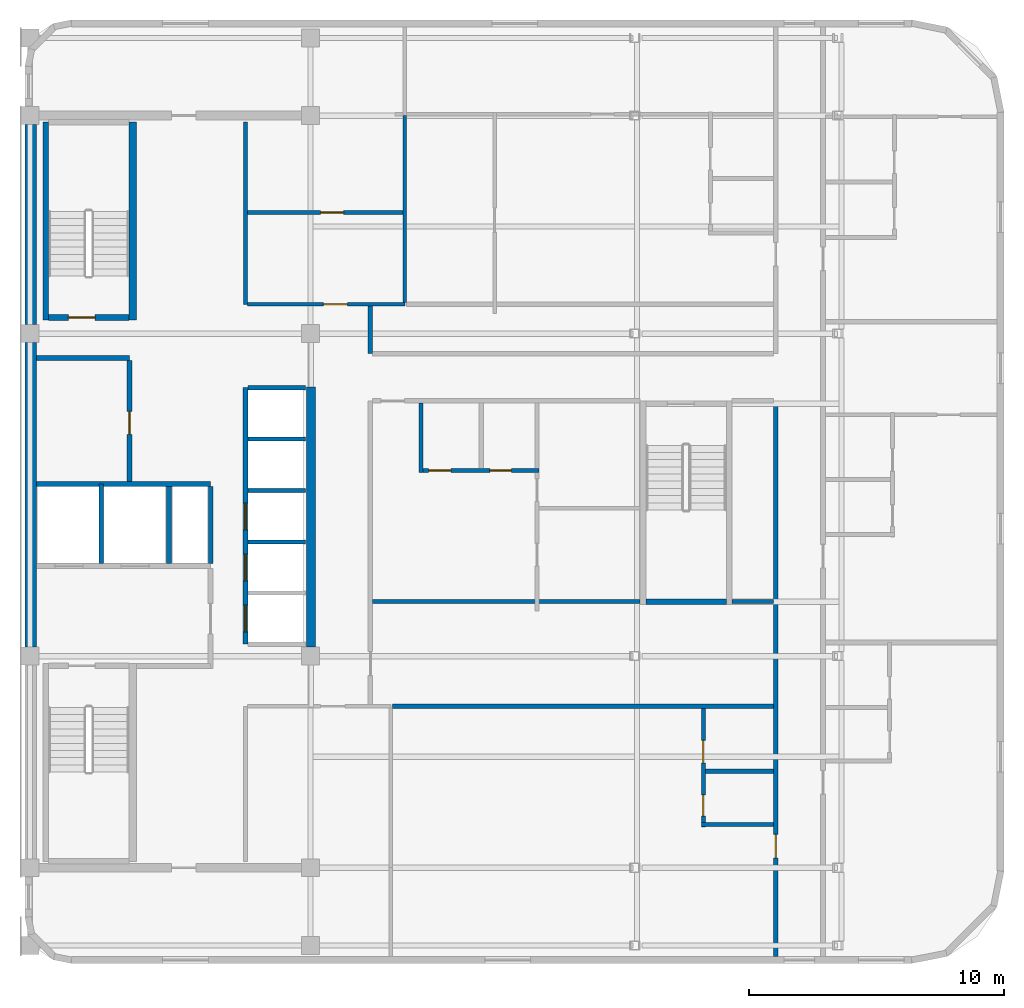
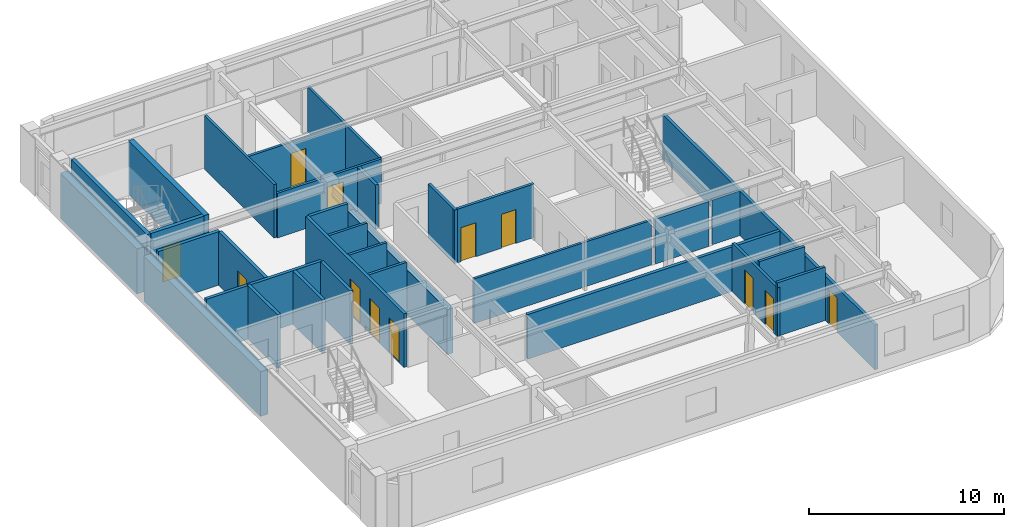
# One storey, part 3 of 8: 32 walls, 12 doors, 12 openings.
"""IFC4 building model written with IfcOpenShell, lengths in metres."""

from ifc_helpers import new_model, si_unit, direction, frame, frame_2d, origin, place, context, subcontext, project, spatial, rectangle, extrude, material, layer, layer_set, type_object, element, fill, save


model = new_model("IFC4")

# Units and contexts
model_context = context("Model", 3, precision=1e-05, world=origin(), true_north=direction((0.0, 1.0)))
body_context = subcontext(model_context, "Body", "Model", "MODEL_VIEW")
ifc_project = project(units=[si_unit("LENGTHUNIT", "METRE"), si_unit("AREAUNIT", "SQUARE_METRE"), si_unit("VOLUMEUNIT", "CUBIC_METRE"), si_unit("PLANEANGLEUNIT", "RADIAN"), si_unit("MASSUNIT", "GRAM", prefix="KILO")], contexts=[model_context])

# Site, building, storey
site_placement = place(None, origin())
site = spatial("IfcSite", under=ifc_project, at=site_placement, CompositionType="ELEMENT")
building_placement = place(site_placement, origin())
building = spatial("IfcBuilding", under=site, at=building_placement, Name="Ochreholt Gables", CompositionType="ELEMENT")
storey_placement = place(building_placement, frame((0.0, 0.0, 227.39990234375)))
storey = spatial("IfcBuildingStorey", under=building, at=storey_placement, Name="L59", CompositionType="ELEMENT", Elevation=227.39990234375)

# Walls
ifc_material_1 = material(Name="Concrete 50 MPa", Category="concrete")
ifc_layer_1 = layer(ifc_material_1, 0.35009765625, Name="Concrete 50 MPa")
ifc_layer_set_1 = layer_set([ifc_layer_1], Name="Concrete 50 MPa")
wall_type_1 = type_object("IfcWallType", Name="WALL-CSW-350", PredefinedType="SHEAR", material=ifc_layer_set_1)
wall_1_placement = place(storey_placement, frame((35.22509765625, 17.89990234375, 0.0), z_axis=(0.0, 0.0, 1.0), x_axis=(0.0, 1.0, 0.0)))
element("IfcWall", 1, at=wall_1_placement, inside=storey, type_object=wall_type_1, Name="L59 Core Central-East Shear Wall", PredefinedType="SHEAR", context=body_context, shape_type="SweptSolid", body=[
    extrude(rectangle(XDim=10.2001953125, YDim=0.35009765625, at=frame_2d((5.10009765625, 0.0))), origin(), (0.0, 0.0, 1.0), 2.81103515625),
])
ifc_layer_2 = layer(ifc_material_1, 0.449951171875, Name="Concrete 50 MPa")
ifc_layer_set_2 = layer_set([ifc_layer_2], Name="Concrete 50 MPa")
wall_type_2 = type_object("IfcWallType", Name="WALL-CSW-EXT", PredefinedType="SHEAR", material=ifc_layer_set_2)
wall_2_placement = place(storey_placement, frame((24.22509765625, 17.89990234375, 0.0), z_axis=(0.0, 0.0, 1.0), x_axis=(0.0, 1.0, 0.0)))
element("IfcWall", 2, at=wall_2_placement, inside=storey, type_object=wall_type_2, Name="L59 Core West Shear Wall WM", PredefinedType="SHEAR", context=body_context, shape_type="SweptSolid", body=[
    extrude(rectangle(XDim=11.9501953125, YDim=0.449951171875, at=frame_2d((5.97509765625, 0.0))), origin(), (0.0, 0.0, 1.0), 2.81103515625),
])
wall_3_placement = place(storey_placement, frame((24.22509765625, 30.550048828125, 0.0), z_axis=(0.0, 0.0, 1.0), x_axis=(0.0, 1.0, 0.0)))
element("IfcWall", 3, at=wall_3_placement, inside=storey, type_object=wall_type_2, Name="L59 Core West Shear Wall WN", PredefinedType="SHEAR", context=body_context, shape_type="SweptSolid", body=[
    extrude(rectangle(XDim=7.849853515625, YDim=0.449951171875, at=frame_2d((3.9248046875, 0.0))), origin(), (0.0, 0.0, 1.0), 2.81103515625),
])
ifc_material_2 = material(Name="Concrete 40 MPa", Category="concrete")
ifc_layer_3 = layer(ifc_material_2, 0.199951171875, Name="Concrete 40 MPa")
ifc_layer_set_3 = layer_set([ifc_layer_3], Name="Concrete 40 MPa")
wall_type_3 = type_object("IfcWallType", Name="WALL-INT-CF200", PredefinedType="STANDARD", material=ifc_layer_set_3)
wall_4_placement = place(storey_placement, frame((24.449951171875, 29.239990234375, 0.0), z_axis=(0.0, 0.0, 1.0), x_axis=(1.0, 0.0, 0.0)))
element("IfcWall", 4, at=wall_4_placement, inside=storey, type_object=wall_type_3, Name="L59 Interior Wall WI-SRVN-L59", PredefinedType="STANDARD", context=body_context, shape_type="SweptSolid", body=[
    extrude(rectangle(XDim=3.650146484375, YDim=0.199951171875, at=frame_2d((1.8251953125, 0.0))), origin(), (0.0, 0.0, 1.0), 3.35009765625),
])

# Wall, opening, door
wall_5_placement = place(storey_placement, frame((28.10009765625, 24.389892578125, 0.0), z_axis=(0.0, 0.0, 1.0), x_axis=(0.0, 1.0, 0.0)))
wall_5 = element("IfcWall", 5, at=wall_5_placement, inside=storey, type_object=wall_type_3, Name="L59 Interior Wall WI-SRVE-L59", PredefinedType="STANDARD", context=body_context, shape_type="SweptSolid", body=[
    extrude(rectangle(XDim=4.75, YDim=0.199951171875, at=frame_2d((2.375, 0.0))), origin(), (0.0, 0.0, 1.0), 3.35009765625),
])
opening_1_placement = place(wall_5_placement, frame((1.860107421875, 0.0, 0.0)))
opening_1 = element("IfcOpeningElement", 6, at=opening_1_placement, cuts=wall_5, Name="Opening D-SV1", PredefinedType="OPENING", context=body_context, shape_type="SweptSolid", body=[
    extrude(rectangle(XDim=0.89990234375, YDim=2.10009765625, at=frame_2d((0.449951171875, 1.050048828125))), frame((0.0, 0.10986328125, 0.0), z_axis=(0.0, -1.0, 0.0), x_axis=(1.0, 0.0, 0.0)), (0.0, 0.0, 1.0), 0.219970703125),
])
ifc_material_3 = material(Name="Hollow Metal Steel", Category="steel")
door_type_1 = type_object("IfcDoorType", Name="DR-INT-SRV900", OperationType="NOTDEFINED", PredefinedType="DOOR", material=ifc_material_3)
door_1_placement = place(opening_1_placement, origin())
door_1 = element("IfcDoor", 7, at=door_1_placement, inside=storey, type_object=door_type_1, Name="L59 Door D-SRV1-L59", OperationType="SINGLE_SWING_LEFT", OverallHeight=2.10009765625, OverallWidth=0.89990234375, PredefinedType="DOOR", context=body_context, shape_type="SweptSolid", body=[
    extrude(rectangle(XDim=0.89990234375, YDim=2.10009765625, at=frame_2d((0.449951171875, 1.050048828125))), frame((0.0, 0.02490234375, 0.0), z_axis=(0.0, -1.0, 0.0), x_axis=(1.0, 0.0, 0.0)), (0.0, 0.0, 1.0), 0.050048828125),
])
fill(opening_1, door_1)

# Wall
ifc_material_4 = material(Name="Fire-Rated Gypsum Acoustic Partition", Category="gypsum")
ifc_layer_4 = layer(ifc_material_4, 0.179931640625, Name="Fire-Rated Gypsum Acoustic Partition")
ifc_layer_set_4 = layer_set([ifc_layer_4], Name="Fire-Rated Gypsum Acoustic Partition")
wall_type_4 = type_object("IfcWallType", Name="WALL-INT-CR180", PredefinedType="STANDARD", material=ifc_layer_set_4)
wall_6_placement = place(storey_placement, frame((37.550048828125, 29.409912109375, 0.0), z_axis=(0.0, 0.0, 1.0), x_axis=(0.0, 1.0, 0.0)))
element("IfcWall", 8, at=wall_6_placement, inside=storey, type_object=wall_type_4, Name="L59 Interior Wall WI-C3CE2-L59", PredefinedType="STANDARD", context=body_context, shape_type="SweptSolid", body=[
    extrude(rectangle(XDim=1.86767578125, YDim=0.179931640625, at=frame_2d((0.933837890625, 0.0))), origin(), (0.0, 0.0, 1.0), 2.793212890625),
])

# Wall, opening, door
wall_7_placement = place(storey_placement, frame((53.450439453125, 5.77001953125, 0.0), z_axis=(0.0, 0.0, 1.0), x_axis=(0.0, 1.0, 0.0)))
wall_7 = element("IfcWall", 9, at=wall_7_placement, inside=storey, type_object=wall_type_4, Name="L59 Interior Wall WI-C3GW0-L59", PredefinedType="STANDARD", context=body_context, shape_type="SweptSolid", body=[
    extrude(rectangle(XDim=21.7900390625, YDim=0.179931640625, at=frame_2d((10.89501953125, 0.0))), origin(), (0.0, 0.0, 1.0), 2.793212890625),
])
opening_2_placement = place(wall_7_placement, frame((3.8701171875, 0.0, 0.0)))
opening_2 = element("IfcOpeningElement", 10, at=opening_2_placement, cuts=wall_7, Name="Opening D-UN1", PredefinedType="OPENING", context=body_context, shape_type="SweptSolid", body=[
    extrude(rectangle(XDim=0.919921875, YDim=2.14990234375, at=frame_2d((0.4599609375, 1.074951171875))), frame((0.0, 0.099853515625, 0.0), z_axis=(0.0, -1.0, 0.0), x_axis=(1.0, 0.0, 0.0)), (0.0, 0.0, 1.0), 0.199951171875),
])
ifc_material_5 = material(Name="Engineered Oak Timber", Category="wood")
door_type_2 = type_object("IfcDoorType", Name="DR-INT-UNT920", OperationType="NOTDEFINED", PredefinedType="DOOR", material=ifc_material_5)
door_2_placement = place(opening_2_placement, origin())
door_2 = element("IfcDoor", 11, at=door_2_placement, inside=storey, type_object=door_type_2, Name="L59 Door D-U-L59SM1-ENT", OperationType="SINGLE_SWING_LEFT", OverallHeight=2.14990234375, OverallWidth=0.919921875, PredefinedType="DOOR", context=body_context, shape_type="SweptSolid", body=[
    extrude(rectangle(XDim=0.919921875, YDim=2.14990234375, at=frame_2d((0.4599609375, 1.074951171875))), frame((0.0, 0.02490234375, 0.0), z_axis=(0.0, -1.0, 0.0), x_axis=(1.0, 0.0, 0.0)), (0.0, 0.0, 1.0), 0.050048828125),
])
fill(opening_2, door_2)

# Walls
ifc_material_6 = material(Name="Double-Stud Acoustic Demising Wall", Category="gypsum")
ifc_layer_5 = layer(ifc_material_6, 0.18505859375, Name="Double-Stud Acoustic Demising Wall")
ifc_layer_set_5 = layer_set([ifc_layer_5], Name="Double-Stud Acoustic Demising Wall")
wall_type_5 = type_object("IfcWallType", Name="WALL-INT-DM185", PredefinedType="PARTITIONING", material=ifc_layer_set_5)
wall_8_placement = place(storey_placement, frame((38.422607421875, 15.580078125, 0.0), z_axis=(0.0, 0.0, 1.0), x_axis=(1.0, 0.0, 0.0)))
element("IfcWall", 12, at=wall_8_placement, inside=storey, type_object=wall_type_5, Name="L59 Interior Wall WI-C3SMY-L59", PredefinedType="PARTITIONING", context=body_context, shape_type="SweptSolid", body=[
    extrude(rectangle(XDim=14.937744140625, YDim=0.18505859375, at=frame_2d((7.46875, 0.0))), origin(), (0.0, 0.0, 1.0), 2.793212890625),
])
ifc_material_7 = material(Name="Moisture-Resistant Plumbing Chase Wall", Category="gypsum")
ifc_layer_6 = layer(ifc_material_7, 0.159912109375, Name="Moisture-Resistant Plumbing Chase Wall")
ifc_layer_set_6 = layer_set([ifc_layer_6], Name="Moisture-Resistant Plumbing Chase Wall")
wall_type_6 = type_object("IfcWallType", Name="WALL-INT-PL160", PredefinedType="PLUMBINGWALL", material=ifc_layer_set_6)
wall_9_placement = place(storey_placement, frame((50.5263671875, 10.93994140625, 0.0), z_axis=(0.0, 0.0, 1.0), x_axis=(1.0, 0.0, 0.0)))
element("IfcWall", 13, at=wall_9_placement, inside=storey, type_object=wall_type_6, Name="L59 Interior Wall WU-L59SM1-WYS", PredefinedType="PLUMBINGWALL", context=body_context, shape_type="SweptSolid", body=[
    extrude(rectangle(XDim=2.833984375, YDim=0.159912109375, at=frame_2d((1.4169921875, 0.0))), origin(), (0.0, 0.0, 1.0), 3.35009765625),
])

# Wall, openings, doors
wall_10_placement = place(storey_placement, frame((50.6064453125, 10.85009765625, 0.0), z_axis=(0.0, 0.0, 1.0), x_axis=(0.0, 1.0, 0.0)))
wall_10 = element("IfcWall", 14, at=wall_10_placement, inside=storey, type_object=wall_type_6, Name="L59 Interior Wall WU-L59SM1-WX", PredefinedType="PLUMBINGWALL", context=body_context, shape_type="SweptSolid", body=[
    extrude(rectangle(XDim=4.637451171875, YDim=0.159912109375, at=frame_2d((2.31884765625, 0.0))), origin(), (0.0, 0.0, 1.0), 3.029052734375),
])
opening_3_placement = place(wall_10_placement, frame((0.419921875, 0.0, 0.0)))
opening_3 = element("IfcOpeningElement", 15, at=opening_3_placement, cuts=wall_10, Name="Opening D-BT2", PredefinedType="OPENING", context=body_context, shape_type="SweptSolid", body=[
    extrude(rectangle(XDim=0.840087890625, YDim=2.1201171875, at=frame_2d((0.419921875, 1.06005859375))), frame((0.0, 0.08984375, 0.0), z_axis=(0.0, -1.0, 0.0), x_axis=(1.0, 0.0, 0.0)), (0.0, 0.0, 1.0), 0.179931640625),
])
opening_4_placement = place(wall_10_placement, frame((2.512939453125, 0.0, 0.0)))
opening_4 = element("IfcOpeningElement", 16, at=opening_4_placement, cuts=wall_10, Name="Opening D-GN2", PredefinedType="OPENING", context=body_context, shape_type="SweptSolid", body=[
    extrude(rectangle(XDim=0.8798828125, YDim=2.1201171875, at=frame_2d((0.43994140625, 1.06005859375))), frame((0.0, 0.08984375, 0.0), z_axis=(0.0, -1.0, 0.0), x_axis=(1.0, 0.0, 0.0)), (0.0, 0.0, 1.0), 0.179931640625),
])
door_type_3 = type_object("IfcDoorType", Name="DR-INT-BTH840", OperationType="NOTDEFINED", PredefinedType="DOOR", material=ifc_material_5)
door_3_placement = place(opening_3_placement, origin())
door_3 = element("IfcDoor", 17, at=door_3_placement, inside=storey, type_object=door_type_3, Name="L59 Door D-U-L59SM1-BTH", OperationType="SINGLE_SWING_RIGHT", OverallHeight=2.1201171875, OverallWidth=0.840087890625, PredefinedType="DOOR", context=body_context, shape_type="SweptSolid", body=[
    extrude(rectangle(XDim=0.840087890625, YDim=2.1201171875, at=frame_2d((0.419921875, 1.06005859375))), frame((0.0, 0.02490234375, 0.0), z_axis=(0.0, -1.0, 0.0), x_axis=(1.0, 0.0, 0.0)), (0.0, 0.0, 1.0), 0.050048828125),
])
fill(opening_3, door_3)
door_type_4 = type_object("IfcDoorType", Name="DR-INT-GEN880", OperationType="NOTDEFINED", PredefinedType="DOOR", material=ifc_material_5)
door_4_placement = place(opening_4_placement, origin())
door_4 = element("IfcDoor", 18, at=door_4_placement, inside=storey, type_object=door_type_4, Name="L59 Door D-U-L59SM1-KIT", OperationType="SINGLE_SWING_LEFT", OverallHeight=2.1201171875, OverallWidth=0.8798828125, PredefinedType="DOOR", context=body_context, shape_type="SweptSolid", body=[
    extrude(rectangle(XDim=0.8798828125, YDim=2.1201171875, at=frame_2d((0.43994140625, 1.06005859375))), frame((0.0, 0.02490234375, 0.0), z_axis=(0.0, -1.0, 0.0), x_axis=(1.0, 0.0, 0.0)), (0.0, 0.0, 1.0), 0.050048828125),
])
fill(opening_4, door_4)

# Wall
wall_11_placement = place(storey_placement, frame((50.686279296875, 13.032958984375, 0.0), z_axis=(0.0, 0.0, 1.0), x_axis=(1.0, 0.0, 0.0)))
element("IfcWall", 19, at=wall_11_placement, inside=storey, type_object=wall_type_6, Name="L59 Interior Wall WU-L59SM1-WM", PredefinedType="PLUMBINGWALL", context=body_context, shape_type="SweptSolid", body=[
    extrude(rectangle(XDim=2.674072265625, YDim=0.159912109375, at=frame_2d((1.3369140625, 0.0))), origin(), (0.0, 0.0, 1.0), 3.35009765625),
])

# Wall, openings, doors
wall_12_placement = place(storey_placement, frame((39.449951171875, 24.830078125, 0.0), z_axis=(0.0, 0.0, 1.0), x_axis=(1.0, 0.0, 0.0)))
wall_12 = element("IfcWall", 20, at=wall_12_placement, inside=storey, type_object=wall_type_6, Name="L59 Interior Wall WU-L59SM2-WY", PredefinedType="PLUMBINGWALL", context=body_context, shape_type="SweptSolid", body=[
    extrude(rectangle(XDim=4.7099609375, YDim=0.159912109375, at=frame_2d((2.35498046875, 0.0))), origin(), (0.0, 0.0, 1.0), 3.35009765625),
])
opening_5_placement = place(wall_12_placement, frame((0.3798828125, 0.0, 0.0)))
opening_5 = element("IfcOpeningElement", 21, at=opening_5_placement, cuts=wall_12, Name="Opening D-GN2", PredefinedType="OPENING", context=body_context, shape_type="SweptSolid", body=[
    extrude(rectangle(XDim=0.8798828125, YDim=2.1201171875, at=frame_2d((0.43994140625, 1.06005859375))), frame((0.0, 0.08984375, 0.0), z_axis=(0.0, -1.0, 0.0), x_axis=(1.0, 0.0, 0.0)), (0.0, 0.0, 1.0), 0.179931640625),
])
opening_6_placement = place(wall_12_placement, frame((2.785888671875, 0.0, 0.0)))
opening_6 = element("IfcOpeningElement", 22, at=opening_6_placement, cuts=wall_12, Name="Opening D-BT2", PredefinedType="OPENING", context=body_context, shape_type="SweptSolid", body=[
    extrude(rectangle(XDim=0.840087890625, YDim=2.1201171875, at=frame_2d((0.419921875, 1.06005859375))), frame((0.0, 0.08984375, 0.0), z_axis=(0.0, -1.0, 0.0), x_axis=(1.0, 0.0, 0.0)), (0.0, 0.0, 1.0), 0.179931640625),
])
door_5_placement = place(opening_6_placement, origin())
door_5 = element("IfcDoor", 23, at=door_5_placement, inside=storey, type_object=door_type_3, Name="L59 Door D-U-L59SM2-BTH", OperationType="SINGLE_SWING_LEFT", OverallHeight=2.1201171875, OverallWidth=0.840087890625, PredefinedType="DOOR", context=body_context, shape_type="SweptSolid", body=[
    extrude(rectangle(XDim=0.840087890625, YDim=2.1201171875, at=frame_2d((0.419921875, 1.06005859375))), frame((0.0, 0.02490234375, 0.0), z_axis=(0.0, -1.0, 0.0), x_axis=(1.0, 0.0, 0.0)), (0.0, 0.0, 1.0), 0.050048828125),
])
fill(opening_6, door_5)
door_6_placement = place(opening_5_placement, origin())
door_6 = element("IfcDoor", 24, at=door_6_placement, inside=storey, type_object=door_type_4, Name="L59 Door D-U-L59SM2-KIT", OperationType="SINGLE_SWING_RIGHT", OverallHeight=2.1201171875, OverallWidth=0.8798828125, PredefinedType="DOOR", context=body_context, shape_type="SweptSolid", body=[
    extrude(rectangle(XDim=0.8798828125, YDim=2.1201171875, at=frame_2d((0.43994140625, 1.06005859375))), frame((0.0, 0.02490234375, 0.0), z_axis=(0.0, -1.0, 0.0), x_axis=(1.0, 0.0, 0.0)), (0.0, 0.0, 1.0), 0.050048828125),
])
fill(opening_5, door_6)

# Walls
wall_13_placement = place(storey_placement, frame((39.530029296875, 24.75, 0.0), z_axis=(0.0, 0.0, 1.0), x_axis=(0.0, 1.0, 0.0)))
element("IfcWall", 25, at=wall_13_placement, inside=storey, type_object=wall_type_6, Name="L59 Interior Wall WU-L59SM2-FY", PredefinedType="PLUMBINGWALL", context=body_context, shape_type="SweptSolid", body=[
    extrude(rectangle(XDim=2.719970703125, YDim=0.159912109375, at=frame_2d((1.35986328125, 0.0))), origin(), (0.0, 0.0, 1.0), 3.35009765625),
])
ifc_material_8 = material(Name="Lightweight Stud Partition", Category="gypsum")
ifc_layer_7 = layer(ifc_material_8, 0.14501953125, Name="Lightweight Stud Partition")
ifc_layer_set_7 = layer_set([ifc_layer_7], Name="Lightweight Stud Partition")
wall_type_7 = type_object("IfcWallType", Name="WALL-INT-PT145", PredefinedType="PARTITIONING", material=ifc_layer_set_7)
wall_14_placement = place(storey_placement, frame((32.64990234375, 31.35009765625, 0.0), z_axis=(0.0, 0.0, 1.0), x_axis=(0.0, 1.0, 0.0)))
element("IfcWall", 26, at=wall_14_placement, inside=storey, type_object=wall_type_7, Name="L59 Interior Wall WI-RCM-W-L59", PredefinedType="PARTITIONING", context=body_context, shape_type="SweptSolid", body=[
    extrude(rectangle(XDim=7.14990234375, YDim=0.14501953125, at=frame_2d((3.574951171875, 0.0))), origin(), (0.0, 0.0, 1.0), 3.35009765625),
])

# Wall, opening, door
wall_15_placement = place(storey_placement, frame((32.722412109375, 31.35009765625, 0.0), z_axis=(0.0, 0.0, 1.0), x_axis=(1.0, 0.0, 0.0)))
wall_15 = element("IfcWall", 27, at=wall_15_placement, inside=storey, type_object=wall_type_7, Name="L59 Interior Wall WI-RCM-S-L59", PredefinedType="PARTITIONING", context=body_context, shape_type="SweptSolid", body=[
    extrude(rectangle(XDim=6.177490234375, YDim=0.14501953125, at=frame_2d((3.0888671875, 0.0))), origin(), (0.0, 0.0, 1.0), 2.793212890625),
])
opening_7_placement = place(wall_15_placement, frame((2.9775390625, 0.0, 0.0)))
opening_7 = element("IfcOpeningElement", 28, at=opening_7_placement, cuts=wall_15, Name="Opening D-GN1", PredefinedType="OPENING", context=body_context, shape_type="SweptSolid", body=[
    extrude(rectangle(XDim=0.949951171875, YDim=2.14990234375, at=frame_2d((0.47509765625, 1.074951171875))), frame((0.0, 0.08251953125, 0.0), z_axis=(0.0, -1.0, 0.0), x_axis=(1.0, 0.0, 0.0)), (0.0, 0.0, 1.0), 0.1650390625),
])
door_type_5 = type_object("IfcDoorType", Name="DR-INT-GEN950", OperationType="NOTDEFINED", PredefinedType="DOOR", material=ifc_material_5)
door_7_placement = place(opening_7_placement, origin())
door_7 = element("IfcDoor", 29, at=door_7_placement, inside=storey, type_object=door_type_5, Name="L59 Door D-RCM-L59", OperationType="SINGLE_SWING_RIGHT", OverallHeight=2.14990234375, OverallWidth=0.949951171875, PredefinedType="DOOR", context=body_context, shape_type="SweptSolid", body=[
    extrude(rectangle(XDim=0.949951171875, YDim=2.14990234375, at=frame_2d((0.47509765625, 1.074951171875))), frame((0.0, 0.02490234375, 0.0), z_axis=(0.0, -1.0, 0.0), x_axis=(1.0, 0.0, 0.0)), (0.0, 0.0, 1.0), 0.050048828125),
])
fill(opening_7, door_7)

# Wall
wall_16_placement = place(storey_placement, frame((38.89990234375, 31.422607421875, 0.0), z_axis=(0.0, 0.0, 1.0), x_axis=(0.0, 1.0, 0.0)))
element("IfcWall", 30, at=wall_16_placement, inside=storey, type_object=wall_type_7, Name="L59 Interior Wall WI-RCM-E-L59", PredefinedType="PARTITIONING", context=body_context, shape_type="SweptSolid", body=[
    extrude(rectangle(XDim=7.327392578125, YDim=0.14501953125, at=frame_2d((3.66357421875, 0.0))), origin(), (0.0, 0.0, 1.0), 2.793212890625),
])

# Wall, opening, door
wall_17_placement = place(storey_placement, frame((32.722412109375, 34.949951171875, 0.0), z_axis=(0.0, 0.0, 1.0), x_axis=(1.0, 0.0, 0.0)))
wall_17 = element("IfcWall", 31, at=wall_17_placement, inside=storey, type_object=wall_type_7, Name="L59 Interior Wall WI-RCM-DV-L59", PredefinedType="PARTITIONING", context=body_context, shape_type="SweptSolid", body=[
    extrude(rectangle(XDim=6.10498046875, YDim=0.14501953125, at=frame_2d((3.052490234375, 0.0))), origin(), (0.0, 0.0, 1.0), 2.793212890625),
])
opening_8_placement = place(wall_17_placement, frame((2.87744140625, 0.0, 0.0)))
opening_8 = element("IfcOpeningElement", 32, at=opening_8_placement, cuts=wall_17, Name="Opening D-SV1", PredefinedType="OPENING", context=body_context, shape_type="SweptSolid", body=[
    extrude(rectangle(XDim=0.89990234375, YDim=2.10009765625, at=frame_2d((0.449951171875, 1.050048828125))), frame((0.0, 0.08251953125, 0.0), z_axis=(0.0, -1.0, 0.0), x_axis=(1.0, 0.0, 0.0)), (0.0, 0.0, 1.0), 0.1650390625),
])
door_8_placement = place(opening_8_placement, origin())
door_8 = element("IfcDoor", 33, at=door_8_placement, inside=storey, type_object=door_type_1, Name="L59 Door D-RCMI-L59", OperationType="SINGLE_SWING_LEFT", OverallHeight=2.10009765625, OverallWidth=0.89990234375, PredefinedType="DOOR", context=body_context, shape_type="SweptSolid", body=[
    extrude(rectangle(XDim=0.89990234375, YDim=2.10009765625, at=frame_2d((0.449951171875, 1.050048828125))), frame((0.0, 0.02490234375, 0.0), z_axis=(0.0, -1.0, 0.0), x_axis=(1.0, 0.0, 0.0)), (0.0, 0.0, 1.0), 0.050048828125),
])
fill(opening_8, door_8)

# Walls
wall_18_placement = place(storey_placement, frame((37.639892578125, 19.68994140625, 0.0), z_axis=(0.0, 0.0, 1.0), x_axis=(1.0, 0.0, 0.0)))
element("IfcWall", 34, at=wall_18_placement, inside=storey, type_object=wall_type_7, Name="L59 Interior Wall WI-C3FSYA-L59", PredefinedType="PARTITIONING", context=body_context, shape_type="SweptSolid", body=[
    extrude(rectangle(XDim=10.489990234375, YDim=0.14501953125, at=frame_2d((5.2451171875, 0.0))), origin(), (0.0, 0.0, 1.0), 2.793212890625),
])
wall_19_placement = place(storey_placement, frame((51.72998046875, 19.68994140625, 0.0), z_axis=(0.0, 0.0, 1.0), x_axis=(1.0, 0.0, 0.0)))
element("IfcWall", 35, at=wall_19_placement, inside=storey, type_object=wall_type_7, Name="L59 Interior Wall WI-C3FSYB-L59", PredefinedType="PARTITIONING", context=body_context, shape_type="SweptSolid", body=[
    extrude(rectangle(XDim=1.63037109375, YDim=0.14501953125, at=frame_2d((0.815185546875, 0.0))), origin(), (0.0, 0.0, 1.0), 2.793212890625),
])
ifc_material_9 = material(Name="Gypsum Shaftliner and Steel Stud", Category="steel")
ifc_layer_8 = layer(ifc_material_9, 0.14990234375, Name="Gypsum Shaftliner and Steel Stud")
ifc_layer_set_8 = layer_set([ifc_layer_8], Name="Gypsum Shaftliner and Steel Stud")
wall_type_8 = type_object("IfcWallType", Name="WALL-INT-SH150", PredefinedType="STANDARD", material=ifc_layer_set_8)
for number, where, z_axis, x_axis, name in (
    (36, (32.739990234375, 22.02001953125, 0.0), (0.0, 0.0, 1.0), (1.0, 0.0, 0.0), "L59 Interior Wall WI-LFHE-DH2-L59"),
    (37, (32.739990234375, 24.050048828125, 0.0), (0.0, 0.0, 1.0), (1.0, 0.0, 0.0), "L59 Interior Wall WI-LFHE-DHE-L59"),
    (38, (32.739990234375, 26.070068359375, 0.0), (0.0, 0.0, 1.0), (1.0, 0.0, 0.0), "L59 Interior Wall WI-LFHE-DEX1-L59"),
):
    element("IfcWall", number, at=place(storey_placement, frame(where, z_axis=z_axis, x_axis=x_axis)), inside=storey, type_object=wall_type_8, Name=name, PredefinedType="STANDARD", context=body_context, shape_type="SweptSolid", body=[
        extrude(rectangle(XDim=2.260009765625, YDim=0.14990234375, at=frame_2d((1.1298828125, 0.0))), origin(), (0.0, 0.0, 1.0), 3.35009765625),
    ])
ifc_layer_9 = layer(ifc_material_9, 0.179931640625, Name="Gypsum Shaftliner and Steel Stud")
ifc_layer_set_9 = layer_set([ifc_layer_9], Name="Gypsum Shaftliner and Steel Stud")
wall_type_9 = type_object("IfcWallType", Name="WALL-INT-SH180", PredefinedType="STANDARD", material=ifc_layer_set_9)
wall_20_placement = place(storey_placement, frame((27.0, 21.18994140625, 0.0), z_axis=(0.0, 0.0, 1.0), x_axis=(0.0, 1.0, 0.0)))
element("IfcWall", 39, at=wall_20_placement, inside=storey, type_object=wall_type_9, Name="L59 Interior Wall WI-FFDIV-L59", PredefinedType="STANDARD", context=body_context, shape_type="SweptSolid", body=[
    extrude(rectangle(XDim=3.110107421875, YDim=0.179931640625, at=frame_2d((1.55517578125, 0.0))), origin(), (0.0, 0.0, 1.0), 3.35009765625),
])
wall_21_placement = place(storey_placement, frame((24.449951171875, 24.300048828125, 0.0), z_axis=(0.0, 0.0, 1.0), x_axis=(1.0, 0.0, 0.0)))
element("IfcWall", 40, at=wall_21_placement, inside=storey, type_object=wall_type_9, Name="L59 Interior Wall WI-FFBK-L59", PredefinedType="STANDARD", context=body_context, shape_type="SweptSolid", body=[
    extrude(rectangle(XDim=6.830078125, YDim=0.179931640625, at=frame_2d((3.4150390625, 0.0))), origin(), (0.0, 0.0, 1.0), 3.35009765625),
])
for number, where, z_axis, x_axis, name in (
    (41, (29.64990234375, 21.18994140625, 0.0), (0.0, 0.0, 1.0), (0.0, 1.0, 0.0), "L59 Interior Wall WI-FFSH-L59"),
    (42, (31.280029296875, 21.18994140625, 0.0), (0.0, 0.0, 1.0), (0.0, 1.0, 0.0), "L59 Interior Wall WI-RSE-L59"),
):
    element("IfcWall", number, at=place(storey_placement, frame(where, z_axis=z_axis, x_axis=x_axis)), inside=storey, type_object=wall_type_9, Name=name, PredefinedType="STANDARD", context=body_context, shape_type="SweptSolid", body=[
        extrude(rectangle(XDim=3.02001953125, YDim=0.179931640625, at=frame_2d((1.510009765625, 0.0))), origin(), (0.0, 0.0, 1.0), 3.35009765625),
    ])

# Wall, openings, doors
wall_22_placement = place(storey_placement, frame((32.64990234375, 18.02001953125, 0.0), z_axis=(0.0, 0.0, 1.0), x_axis=(0.0, 1.0, 0.0)))
wall_22 = element("IfcWall", 43, at=wall_22_placement, inside=storey, type_object=wall_type_9, Name="L59 Interior Wall WI-LFHE-FR-L59", PredefinedType="STANDARD", context=body_context, shape_type="SweptSolid", body=[
    extrude(rectangle(XDim=10.06005859375, YDim=0.179931640625, at=frame_2d((5.030029296875, 0.0))), origin(), (0.0, 0.0, 1.0), 3.35009765625),
])
opening_9_placement = place(wall_22_placement, frame((0.47998046875, 0.0, 0.0)))
opening_9 = element("IfcOpeningElement", 44, at=opening_9_placement, cuts=wall_22, Name="Opening LD-PX", PredefinedType="OPENING", context=body_context, shape_type="SweptSolid", body=[
    extrude(rectangle(XDim=1.050048828125, YDim=2.199951171875, at=frame_2d((0.52490234375, 1.10009765625))), frame((0.0, 0.099853515625, 0.0), z_axis=(0.0, -1.0, 0.0), x_axis=(1.0, 0.0, 0.0)), (0.0, 0.0, 1.0), 0.199951171875),
])
opening_10_placement = place(wall_22_placement, frame((2.47998046875, 0.0, 0.0)))
opening_10 = element("IfcOpeningElement", 45, at=opening_10_placement, cuts=wall_22, Name="Opening LD-PX", PredefinedType="OPENING", context=body_context, shape_type="SweptSolid", body=[
    extrude(rectangle(XDim=1.050048828125, YDim=2.199951171875, at=frame_2d((0.52490234375, 1.10009765625))), frame((0.0, 0.099853515625, 0.0), z_axis=(0.0, -1.0, 0.0), x_axis=(1.0, 0.0, 0.0)), (0.0, 0.0, 1.0), 0.199951171875),
])
opening_11_placement = place(wall_22_placement, frame((4.47998046875, 0.0, 0.0)))
opening_11 = element("IfcOpeningElement", 46, at=opening_11_placement, cuts=wall_22, Name="Opening LD-PX", PredefinedType="OPENING", context=body_context, shape_type="SweptSolid", body=[
    extrude(rectangle(XDim=1.050048828125, YDim=2.199951171875, at=frame_2d((0.52490234375, 1.10009765625))), frame((0.0, 0.099853515625, 0.0), z_axis=(0.0, -1.0, 0.0), x_axis=(1.0, 0.0, 0.0)), (0.0, 0.0, 1.0), 0.199951171875),
])
ifc_material_10 = material(Name="Stainless Steel", Category="steel")
door_type_6 = type_object("IfcDoorType", Name="DR-LFT-PX1050", OperationType="NOTDEFINED", PredefinedType="DOOR", material=ifc_material_10)
door_9_placement = place(opening_9_placement, origin())
door_9 = element("IfcDoor", 47, at=door_9_placement, inside=storey, type_object=door_type_6, Name="L59 Door LD-LF-H1-L59", OperationType="SLIDING_TO_LEFT", OverallHeight=2.199951171875, OverallWidth=1.050048828125, PredefinedType="DOOR", context=body_context, shape_type="SweptSolid", body=[
    extrude(rectangle(XDim=1.050048828125, YDim=2.199951171875, at=frame_2d((0.52490234375, 1.10009765625))), frame((0.0, 0.02490234375, 0.0), z_axis=(0.0, -1.0, 0.0), x_axis=(1.0, 0.0, 0.0)), (0.0, 0.0, 1.0), 0.050048828125),
])
fill(opening_9, door_9)
door_10_placement = place(opening_10_placement, origin())
door_10 = element("IfcDoor", 48, at=door_10_placement, inside=storey, type_object=door_type_6, Name="L59 Door LD-LF-H2-L59", OperationType="SLIDING_TO_LEFT", OverallHeight=2.199951171875, OverallWidth=1.050048828125, PredefinedType="DOOR", context=body_context, shape_type="SweptSolid", body=[
    extrude(rectangle(XDim=1.050048828125, YDim=2.199951171875, at=frame_2d((0.52490234375, 1.10009765625))), frame((0.0, 0.02490234375, 0.0), z_axis=(0.0, -1.0, 0.0), x_axis=(1.0, 0.0, 0.0)), (0.0, 0.0, 1.0), 0.050048828125),
])
fill(opening_10, door_10)
door_11_placement = place(opening_11_placement, origin())
door_11 = element("IfcDoor", 49, at=door_11_placement, inside=storey, type_object=door_type_6, Name="L59 Door LD-LF-H3-L59", OperationType="SLIDING_TO_LEFT", OverallHeight=2.199951171875, OverallWidth=1.050048828125, PredefinedType="DOOR", context=body_context, shape_type="SweptSolid", body=[
    extrude(rectangle(XDim=1.050048828125, YDim=2.199951171875, at=frame_2d((0.52490234375, 1.10009765625))), frame((0.0, 0.02490234375, 0.0), z_axis=(0.0, -1.0, 0.0), x_axis=(1.0, 0.0, 0.0)), (0.0, 0.0, 1.0), 0.050048828125),
])
fill(opening_11, door_11)

# Walls
wall_23_placement = place(storey_placement, frame((32.739990234375, 28.080078125, 0.0), z_axis=(0.0, 0.0, 1.0), x_axis=(1.0, 0.0, 0.0)))
element("IfcWall", 50, at=wall_23_placement, inside=storey, type_object=wall_type_9, Name="L59 Interior Wall WI-LFHE-N-L59", PredefinedType="STANDARD", context=body_context, shape_type="SweptSolid", body=[
    extrude(rectangle(XDim=2.260009765625, YDim=0.179931640625, at=frame_2d((1.1298828125, 0.0))), origin(), (0.0, 0.0, 1.0), 3.35009765625),
])
ifc_material_11 = material(Name="Concrete 60 MPa", Category="concrete")
ifc_layer_10 = layer(ifc_material_11, 0.300048828125, Name="Concrete 60 MPa")
ifc_layer_set_10 = layer_set([ifc_layer_10], Name="Concrete 60 MPa")
wall_type_10 = type_object("IfcWallType", Name="WALL-SPN-300", PredefinedType="SHEAR", material=ifc_layer_set_10)
wall_24_placement = place(storey_placement, frame((28.22998046875, 30.739990234375, 0.0), z_axis=(0.0, 0.0, 1.0), x_axis=(0.0, 1.0, 0.0)))
element("IfcWall", 51, at=wall_24_placement, inside=storey, type_object=wall_type_10, Name="L59 Core North Spine Shear Wall", PredefinedType="SHEAR", context=body_context, shape_type="SweptSolid", body=[
    extrude(rectangle(XDim=7.760009765625, YDim=0.300048828125, at=frame_2d((3.8798828125, 0.0))), origin(), (0.0, 0.0, 1.0), 3.35009765625),
])
ifc_layer_11 = layer(ifc_material_1, 0.219970703125, Name="Concrete 50 MPa")
ifc_layer_set_11 = layer_set([ifc_layer_11], Name="Concrete 50 MPa")
wall_type_11 = type_object("IfcWallType", Name="WALL-STW-220", PredefinedType="SHEAR", material=ifc_layer_set_11)
wall_25_placement = place(storey_placement, frame((24.81005859375, 30.739990234375, 0.0), z_axis=(0.0, 0.0, 1.0), x_axis=(0.0, 1.0, 0.0)))
element("IfcWall", 52, at=wall_25_placement, inside=storey, type_object=wall_type_11, Name="L59 Exit Stair 2 West Wall", PredefinedType="SHEAR", context=body_context, shape_type="SweptSolid", body=[
    extrude(rectangle(XDim=7.760009765625, YDim=0.219970703125, at=frame_2d((3.8798828125, 0.0))), origin(), (0.0, 0.0, 1.0), 3.35009765625),
])

# Wall, opening, door
wall_26_placement = place(storey_placement, frame((24.919921875, 30.830078125, 0.0), z_axis=(0.0, 0.0, 1.0), x_axis=(1.0, 0.0, 0.0)))
wall_26 = element("IfcWall", 53, at=wall_26_placement, inside=storey, type_object=wall_type_11, Name="L59 Exit Stair 2 South Wall", PredefinedType="SHEAR", context=body_context, shape_type="SweptSolid", body=[
    extrude(rectangle(XDim=3.16015625, YDim=0.219970703125, at=frame_2d((1.580078125, 0.0))), origin(), (0.0, 0.0, 1.0), 3.35009765625),
])
opening_12_placement = place(wall_26_placement, frame((0.780029296875, 0.0, 0.0)))
opening_12 = element("IfcOpeningElement", 54, at=opening_12_placement, cuts=wall_26, Name="Opening D-STC", PredefinedType="OPENING", context=body_context, shape_type="SweptSolid", body=[
    extrude(rectangle(XDim=1.050048828125, YDim=2.14990234375, at=frame_2d((0.52490234375, 1.074951171875))), frame((0.0, 0.119873046875, 0.0), z_axis=(0.0, -1.0, 0.0), x_axis=(1.0, 0.0, 0.0)), (0.0, 0.0, 1.0), 0.239990234375),
])
door_type_7 = type_object("IfcDoorType", Name="DR-INT-ST1050", OperationType="NOTDEFINED", PredefinedType="DOOR", material=ifc_material_3)
door_12_placement = place(opening_12_placement, origin())
door_12 = element("IfcDoor", 55, at=door_12_placement, inside=storey, type_object=door_type_7, Name="L59 Door D-ST2-L59", OperationType="SINGLE_SWING_RIGHT", OverallHeight=2.14990234375, OverallWidth=1.050048828125, PredefinedType="DOOR", context=body_context, shape_type="SweptSolid", body=[
    extrude(rectangle(XDim=1.050048828125, YDim=2.14990234375, at=frame_2d((0.52490234375, 1.074951171875))), frame((0.0, 0.02490234375, 0.0), z_axis=(0.0, -1.0, 0.0), x_axis=(1.0, 0.0, 0.0)), (0.0, 0.0, 1.0), 0.050048828125),
])
fill(opening_12, door_12)

# Wall
wall_27_placement = place(storey_placement, frame((48.35009765625, 19.68994140625, 0.0), z_axis=(0.0, 0.0, 1.0), x_axis=(1.0, 0.0, 0.0)))
element("IfcWall", 56, at=wall_27_placement, inside=storey, type_object=wall_type_11, Name="L59 Feature Stair ST-C6 South Wall", PredefinedType="SHEAR", context=body_context, shape_type="SweptSolid", body=[
    extrude(rectangle(XDim=3.159912109375, YDim=0.219970703125, at=frame_2d((1.580078125, 0.0))), origin(), (0.0, 0.0, 1.0), 2.8115234375),
])

save(model, "model.ifc")
